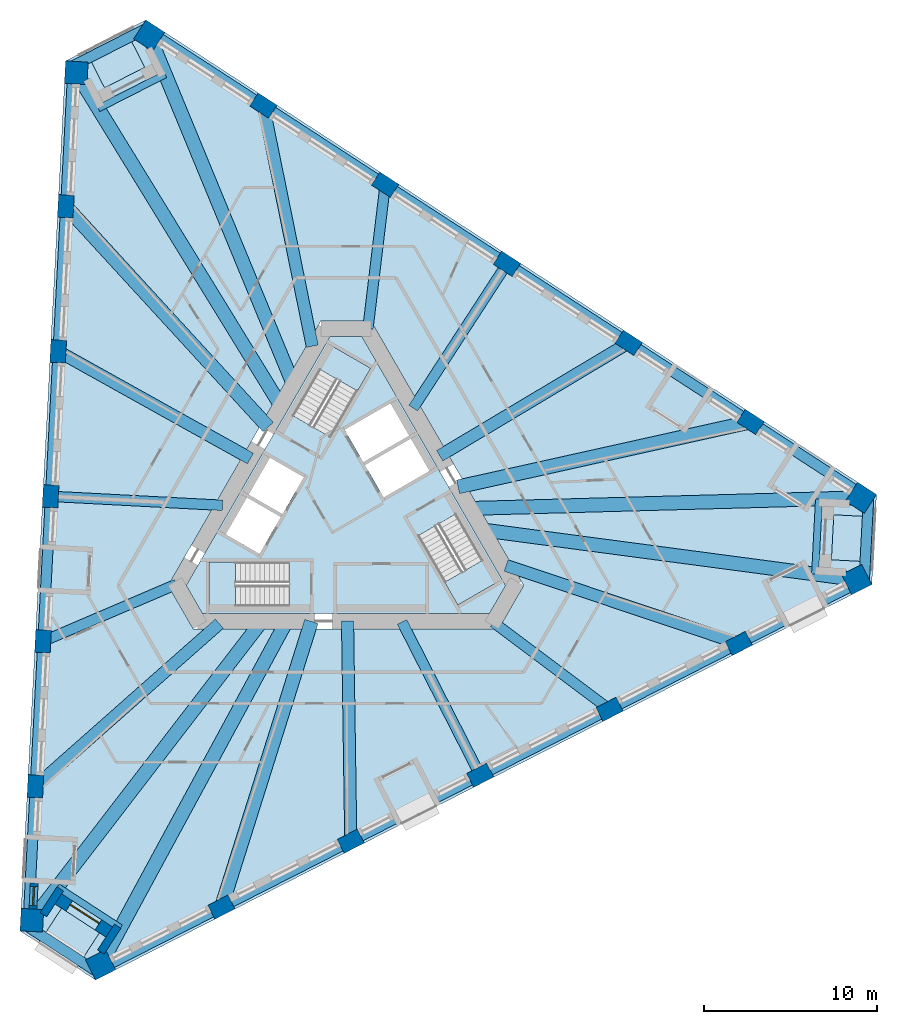
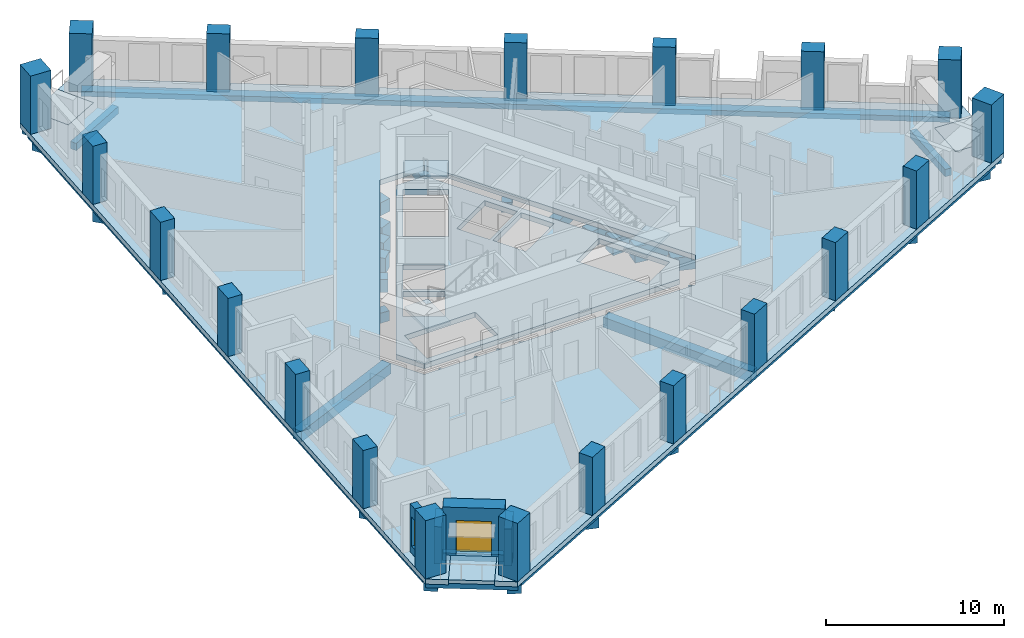
# One storey, part 1 of 12: 30 beams, 21 columns, 8 slabs, 4 walls, 1 door, 1 window, 2 openings, 3 elements without a shape of their own.
"""IFC4 building model written with IfcOpenShell, lengths in metres."""

from ifc_helpers import new_model, si_unit, direction, frame, frame_2d, origin, origin_2d, place, context, subcontext, project, spatial, polyline, rectangle, outline, extrude, material, layer, layer_set, material_profile, profile_set, type_object, element, fill, aggregate, save


model = new_model("IFC4")

# Units and contexts
model_context = context("Model", 3, precision=1e-05, world=origin(), true_north=direction((0.0, 1.0)))
body_context = subcontext(model_context, "Body", "Model", "MODEL_VIEW")
ifc_project = project(units=[si_unit("LENGTHUNIT", "METRE"), si_unit("AREAUNIT", "SQUARE_METRE"), si_unit("VOLUMEUNIT", "CUBIC_METRE"), si_unit("PLANEANGLEUNIT", "RADIAN"), si_unit("MASSUNIT", "GRAM", prefix="KILO")], contexts=[model_context])

# Site, building, storey
site_placement = place(None, origin())
site = spatial("IfcSite", under=ifc_project, at=site_placement, CompositionType="ELEMENT")
building_placement = place(site_placement, origin())
building = spatial("IfcBuilding", under=site, at=building_placement, Name="Tramontana Tower", CompositionType="ELEMENT")
storey_placement = place(building_placement, frame((0.0, 0.0, 133.60009765625)))
storey = spatial("IfcBuildingStorey", under=building, at=storey_placement, Name="L30", CompositionType="ELEMENT", Elevation=133.60009765625)

# Columns
ifc_material_1 = material(Name="Concrete 70 MPa", Category="concrete")
ifc_material_profile_1 = material_profile(ifc_material_1, rectangle(XDim=1.300048828125, YDim=1.300048828125, at=origin_2d()), Name="Mega column 1300X1300 70 MPa")
ifc_profile_set_1 = profile_set([ifc_material_profile_1], Name="Concrete 70 MPa")
column_type_1 = type_object("IfcColumnType", Name="Mega column 1300X1300 70 MPa", PredefinedType="COLUMN", material=ifc_profile_set_1)
for number, where, z_axis, x_axis, name in (
    (1, (-15.546630859375, 25.31298828125, 0.0), (0.0, 0.0, 1.0), (-0.052335956243, -0.998629534755, 0.0), "Mega column C3K1 L30"),
    (2, (-18.107177734375, -23.54931640625, 0.0), (0.0, 0.0, 1.0), (-0.052335956243, -0.998629534755, 0.0), "Mega column C3K2 L30"),
    (3, (-14.1484375, -26.1201171875, 0.0), (0.0, 0.0, 1.0), (0.891006524188, 0.45399049974, 0.0), "Mega column C3K3 L30"),
    (4, (29.447998046875, -3.90673828125, 0.0), (0.0, 0.0, 1.0), (0.891006524188, 0.45399049974, 0.0), "Mega column C3K4 L30"),
    (5, (29.695068359375, 0.80712890625, 0.0), (0.0, 0.0, 1.0), (-0.838670567945, 0.544639035015, 0.0), "Mega column C3K5 L30"),
    (6, (-11.340576171875, 27.4560546875, 0.0), (0.0, 0.0, 1.0), (-0.838670567945, 0.544639035015, 0.0), "Mega column C3K6 L30"),
):
    element("IfcColumn", number, at=place(storey_placement, frame(where, z_axis=z_axis, x_axis=x_axis)), inside=storey, type_object=column_type_1, Name=name, PredefinedType="COLUMN", context=body_context, shape_type="SweptSolid", body=[
        extrude(rectangle(XDim=1.300048828125, YDim=1.300048828125, at=origin_2d()), origin(), (0.0, 0.0, 1.0), 4.0),
    ])
ifc_material_2 = material(Name="Concrete 55 MPa", Category="concrete")
ifc_material_profile_2 = material_profile(ifc_material_2, rectangle(XDim=1.300048828125, YDim=0.89990234375, at=origin_2d()), Name="Pier column 1300X900 55 MPa")
ifc_profile_set_2 = profile_set([ifc_material_profile_2], Name="Concrete 55 MPa")
column_type_2 = type_object("IfcColumnType", Name="Pier column 1300X900 55 MPa", PredefinedType="COLUMN", material=ifc_profile_set_2)
for number, where, z_axis, x_axis, name in (
    (7, (-16.150390625, 17.612548828125, 0.0), (0.0, 0.0, 1.0), (-0.052335956243, -0.998629534755, 0.0), "Pier column C3F01 L30"),
    (8, (-16.58837890625, 9.25244140625, 0.0), (0.0, 0.0, 1.0), (-0.052335956243, -0.998629534755, 0.0), "Pier column C3F02 L30"),
    (9, (-17.026611328125, 0.892333984375, 0.0), (0.0, 0.0, 1.0), (-0.052335956243, -0.998629534755, 0.0), "Pier column C3F03 L30"),
    (10, (-17.46484375, -7.4677734375, 0.0), (0.0, 0.0, 1.0), (-0.052335956243, -0.998629534755, 0.0), "Pier column C3F04 L30"),
    (11, (-17.90283203125, -15.827880859375, 0.0), (0.0, 0.0, 1.0), (-0.052335956243, -0.998629534755, 0.0), "Pier column C3F05 L30"),
    (12, (-7.177734375, -22.79296875, 0.0), (0.0, 0.0, 1.0), (0.891006524188, 0.45399049974, 0.0), "Pier column C3F06 L30"),
    (13, (0.281494140625, -18.9921875, 0.0), (0.0, 0.0, 1.0), (0.891006524188, 0.45399049974, 0.0), "Pier column C3F07 L30"),
    (14, (7.740478515625, -15.191650390625, 0.0), (0.0, 0.0, 1.0), (0.891006524188, 0.45399049974, 0.0), "Pier column C3F08 L30"),
    (15, (15.19970703125, -11.39111328125, 0.0), (0.0, 0.0, 1.0), (0.891006524188, 0.45399049974, 0.0), "Pier column C3F09 L30"),
    (16, (22.65869140625, -7.59033203125, 0.0), (0.0, 0.0, 1.0), (0.891006524188, 0.45399049974, 0.0), "Pier column C3F10 L30"),
    (17, (23.328125, 5.180419921875, 0.0), (0.0, 0.0, 1.0), (-0.838670567945, 0.544639035015, 0.0), "Pier column C3F11 L30"),
    (18, (16.30712890625, 9.73974609375, 0.0), (0.0, 0.0, 1.0), (-0.838670567945, 0.544639035015, 0.0), "Pier column C3F12 L30"),
    (19, (9.2861328125, 14.29931640625, 0.0), (0.0, 0.0, 1.0), (-0.838670567945, 0.544639035015, 0.0), "Pier column C3F13 L30"),
    (20, (2.26513671875, 18.85888671875, 0.0), (0.0, 0.0, 1.0), (-0.838670567945, 0.544639035015, 0.0), "Pier column C3F14 L30"),
    (21, (-4.755859375, 23.418212890625, 0.0), (0.0, 0.0, 1.0), (-0.838670567945, 0.544639035015, 0.0), "Pier column C3F15 L30"),
):
    element("IfcColumn", number, at=place(storey_placement, frame(where, z_axis=z_axis, x_axis=x_axis)), inside=storey, type_object=column_type_2, Name=name, PredefinedType="COLUMN", context=body_context, shape_type="SweptSolid", body=[
        extrude(rectangle(XDim=1.300048828125, YDim=0.89990234375, at=origin_2d()), origin(), (0.0, 0.0, 1.0), 4.0),
    ])

# Beams
ifc_material_3 = material(Name="Concrete 40 MPa", Category="concrete")
ifc_material_profile_3 = material_profile(ifc_material_3, rectangle(XDim=0.60009765625, YDim=0.35009765625, at=origin_2d()), Name="RC EDGE BEAM 600X350 40 MPa")
ifc_profile_set_3 = profile_set([ifc_material_profile_3], Name="Concrete 40 MPa")
beam_type_1 = type_object("IfcBeamType", Name="RC EDGE BEAM 600X350 40 MPa", PredefinedType="SPANDREL", material=ifc_profile_set_3)
for number, where, z_axis, x_axis, name in (
    (22, (-15.74609375, 25.323486328125, -0.525146484375), (-0.052336488944, -0.998629506837, 0.0), (0.998629506837, -0.052336488944, 0.0), "Spandrel beam S0 L30"),
    (23, (-14.0576171875, -26.29833984375, -0.525146484375), (0.89100747088, 0.453988641748, 0.0), (-0.453988641748, 0.89100747088, 0.0), "Spandrel beam S1 L30"),
    (24, (29.803955078125, 0.974853515625, -0.525146484375), (-0.838669945923, 0.544639992844, 0.0), (-0.544639992844, -0.838669945923, 0.0), "Spandrel beam S2 L30"),
):
    element("IfcBeam", number, at=place(storey_placement, frame(where, z_axis=z_axis, x_axis=x_axis)), inside=storey, type_object=beam_type_1, Name=name, PredefinedType="SPANDREL", context=body_context, shape_type="SweptSolid", body=[
        extrude(rectangle(XDim=0.60009765625, YDim=0.35009765625, at=origin_2d()), origin(), (0.0, 0.0, 1.0), 48.929443359375),
    ])
for number, where, z_axis, x_axis, name in (
    (25, (-11.327392578125, 27.9541015625, -0.525146484375), (-0.891018699398, -0.453966603753, 0.0), (0.453966603753, -0.891018699398, 0.0), "Spandrel beam K0 L30"),
    (26, (-18.54541015625, -23.787109375, -0.525146484375), (0.838668969916, -0.544641495757, 0.0), (0.544641495757, 0.838668969916, 0.0), "Spandrel beam K1 L30"),
):
    element("IfcBeam", number, at=place(storey_placement, frame(where, z_axis=z_axis, x_axis=x_axis)), inside=storey, type_object=beam_type_1, Name=name, PredefinedType="SPANDREL", context=body_context, shape_type="SweptSolid", body=[
        extrude(rectangle(XDim=0.60009765625, YDim=0.35009765625, at=origin_2d()), origin(), (0.0, 0.0, 1.0), 5.1962890625),
    ])
beam_1_placement = place(storey_placement, frame((29.872802734375, -4.167236328125, -0.525146484375), z_axis=(0.052341816109, 0.998629227635, 0.0), x_axis=(-0.998629227635, 0.052341816109, 0.0)))
element("IfcBeam", 27, at=beam_1_placement, inside=storey, type_object=beam_type_1, Name="Spandrel beam K2 L30", PredefinedType="SPANDREL", context=body_context, shape_type="SweptSolid", body=[
    extrude(rectangle(XDim=0.60009765625, YDim=0.35009765625, at=origin_2d()), origin(), (0.0, 0.0, 1.0), 5.196044921875),
])
ifc_material_4 = material(Name="Concrete 40 MPa", Category="concrete")
ifc_material_profile_4 = material_profile(ifc_material_4, rectangle(XDim=0.60009765625, YDim=0.699951171875, at=origin_2d()), Name="RC GIRDER 600X700 40 MPa")
ifc_profile_set_4 = profile_set([ifc_material_profile_4], Name="Concrete 40 MPa")
beam_type_2 = type_object("IfcBeamType", Name="RC GIRDER 600X700 40 MPa", PredefinedType="BEAM", material=ifc_profile_set_4)
beam_2_placement = place(storey_placement, frame((-17.026611328125, 0.892333984375, -0.7001953125), z_axis=(0.998628816447, -0.052349660575, 0.0), x_axis=(0.052349660575, 0.998628816447, 0.0)))
element("IfcBeam", 28, at=beam_2_placement, inside=storey, type_object=beam_type_2, Name="Radial girder C3F03 L30", PredefinedType="BEAM", context=body_context, shape_type="SweptSolid", body=[
    extrude(rectangle(XDim=0.60009765625, YDim=0.699951171875, at=origin_2d()), origin(), (0.0, 0.0, 1.0), 9.92431640625),
])
beam_3_placement = place(storey_placement, frame((-17.46484375, -7.4677734375, -0.7001953125), z_axis=(0.919473795441, 0.393151293394, 0.0), x_axis=(-0.393151293394, 0.919473795441, 0.0)))
element("IfcBeam", 29, at=beam_3_placement, inside=storey, type_object=beam_type_2, Name="Radial girder C3F04 L30", PredefinedType="BEAM", context=body_context, shape_type="SweptSolid", body=[
    extrude(rectangle(XDim=0.60009765625, YDim=0.699951171875, at=origin_2d()), origin(), (0.0, 0.0, 1.0), 8.365234375),
])
beam_4_placement = place(storey_placement, frame((7.740478515625, -15.191650390625, -0.7001953125), z_axis=(-0.453980690523, 0.891011522166, 0.0), x_axis=(-0.891011522166, -0.453980690523, 0.0)))
element("IfcBeam", 30, at=beam_4_placement, inside=storey, type_object=beam_type_2, Name="Radial girder C3F08 L30", PredefinedType="BEAM", context=body_context, shape_type="SweptSolid", body=[
    extrude(rectangle(XDim=0.60009765625, YDim=0.699951171875, at=origin_2d()), origin(), (0.0, 0.0, 1.0), 9.924072265625),
])
beam_5_placement = place(storey_placement, frame((15.19970703125, -11.39111328125, -0.7001953125), z_axis=(-0.800213580839, 0.599715119904, 0.0), x_axis=(-0.599715119904, -0.800213580839, 0.0)))
element("IfcBeam", 31, at=beam_5_placement, inside=storey, type_object=beam_type_2, Name="Radial girder C3F09 L30", PredefinedType="BEAM", context=body_context, shape_type="SweptSolid", body=[
    extrude(rectangle(XDim=0.60009765625, YDim=0.699951171875, at=origin_2d()), origin(), (0.0, 0.0, 1.0), 8.365478515625),
])
beam_6_placement = place(storey_placement, frame((9.2861328125, 14.29931640625, -0.7001953125), z_axis=(-0.54464589271, -0.838666114466, 0.0), x_axis=(0.838666114466, -0.54464589271, 0.0)))
element("IfcBeam", 32, at=beam_6_placement, inside=storey, type_object=beam_type_2, Name="Radial girder C3F13 L30", PredefinedType="BEAM", context=body_context, shape_type="SweptSolid", body=[
    extrude(rectangle(XDim=0.60009765625, YDim=0.699951171875, at=origin_2d()), origin(), (0.0, 0.0, 1.0), 9.92431640625),
])
beam_7_placement = place(storey_placement, frame((2.26513671875, 18.85888671875, -0.7001953125), z_axis=(-0.119248793527, -0.992864404258, 0.0), x_axis=(0.992864404258, -0.119248793527, 0.0)))
element("IfcBeam", 33, at=beam_7_placement, inside=storey, type_object=beam_type_2, Name="Radial girder C3F14 L30", PredefinedType="BEAM", context=body_context, shape_type="SweptSolid", body=[
    extrude(rectangle(XDim=0.60009765625, YDim=0.699951171875, at=origin_2d()), origin(), (0.0, 0.0, 1.0), 8.365234375),
])
ifc_material_5 = material(Name="Concrete 40 MPa", Category="concrete")
ifc_material_profile_5 = material_profile(ifc_material_5, rectangle(XDim=0.699951171875, YDim=0.89990234375, at=origin_2d()), Name="RC GIRDER 700X900 40 MPa")
ifc_profile_set_5 = profile_set([ifc_material_profile_5], Name="Concrete 40 MPa")
beam_type_3 = type_object("IfcBeamType", Name="RC GIRDER 700X900 40 MPa", PredefinedType="BEAM", material=ifc_profile_set_5)
beam_8_placement = place(storey_placement, frame((-16.58837890625, 9.25244140625, -0.800048828125), z_axis=(0.873332247198, -0.487125020917, 0.0), x_axis=(0.487125020917, 0.873332247198, 0.0)))
element("IfcBeam", 34, at=beam_8_placement, inside=storey, type_object=beam_type_3, Name="Radial girder C3F02 L30", PredefinedType="BEAM", context=body_context, shape_type="SweptSolid", body=[
    extrude(rectangle(XDim=0.699951171875, YDim=0.89990234375, at=origin_2d()), origin(), (0.0, 0.0, 1.0), 12.693603515625),
])
beam_9_placement = place(storey_placement, frame((-17.90283203125, -15.827880859375, -0.800048828125), z_axis=(0.74918417634, 0.662361736456, 0.0), x_axis=(-0.662361736456, 0.74918417634, 0.0)))
element("IfcBeam", 35, at=beam_9_placement, inside=storey, type_object=beam_type_3, Name="Radial girder C3F05 L30", PredefinedType="BEAM", context=body_context, shape_type="SweptSolid", body=[
    extrude(rectangle(XDim=0.699951171875, YDim=0.89990234375, at=origin_2d()), origin(), (0.0, 0.0, 1.0), 14.1552734375),
])
beam_10_placement = place(storey_placement, frame((0.281494140625, -18.9921875, -0.800048828125), z_axis=(-0.014829000023, 0.999890044334, 0.0), x_axis=(-0.999890044334, -0.014829000023, 0.0)))
element("IfcBeam", 36, at=beam_10_placement, inside=storey, type_object=beam_type_3, Name="Radial girder C3F07 L30", PredefinedType="BEAM", context=body_context, shape_type="SweptSolid", body=[
    extrude(rectangle(XDim=0.699951171875, YDim=0.89990234375, at=origin_2d()), origin(), (0.0, 0.0, 1.0), 12.693603515625),
])
beam_11_placement = place(storey_placement, frame((22.65869140625, -7.59033203125, -0.800048828125), z_axis=(-0.948211400457, 0.317639953476, 0.0), x_axis=(-0.317639953476, -0.948211400457, 0.0)))
element("IfcBeam", 37, at=beam_11_placement, inside=storey, type_object=beam_type_3, Name="Radial girder C3F10 L30", PredefinedType="BEAM", context=body_context, shape_type="SweptSolid", body=[
    extrude(rectangle(XDim=0.699951171875, YDim=0.89990234375, at=origin_2d()), origin(), (0.0, 0.0, 1.0), 14.155517578125),
])
beam_12_placement = place(storey_placement, frame((16.30712890625, 9.73974609375, -0.800048828125), z_axis=(-0.858533155932, -0.512758052268, 0.0), x_axis=(0.512758052268, -0.858533155932, 0.0)))
element("IfcBeam", 38, at=beam_12_placement, inside=storey, type_object=beam_type_3, Name="Radial girder C3F12 L30", PredefinedType="BEAM", context=body_context, shape_type="SweptSolid", body=[
    extrude(rectangle(XDim=0.699951171875, YDim=0.89990234375, at=origin_2d()), origin(), (0.0, 0.0, 1.0), 12.693603515625),
])
beam_13_placement = place(storey_placement, frame((-4.755859375, 23.418212890625, -0.800048828125), z_axis=(0.199014115168, -0.979996623445, 0.0), x_axis=(0.979996623445, 0.199014115168, 0.0)))
element("IfcBeam", 39, at=beam_13_placement, inside=storey, type_object=beam_type_3, Name="Radial girder C3F15 L30", PredefinedType="BEAM", context=body_context, shape_type="SweptSolid", body=[
    extrude(rectangle(XDim=0.699951171875, YDim=0.89990234375, at=origin_2d()), origin(), (0.0, 0.0, 1.0), 14.155517578125),
])
ifc_material_6 = material(Name="Concrete 40 MPa", Category="concrete")
ifc_material_profile_6 = material_profile(ifc_material_6, rectangle(XDim=0.800048828125, YDim=1.10009765625, at=origin_2d()), Name="RC GIRDER 800X1100 40 MPa")
ifc_profile_set_6 = profile_set([ifc_material_profile_6], Name="Concrete 40 MPa")
beam_type_4 = type_object("IfcBeamType", Name="RC GIRDER 800X1100 40 MPa", PredefinedType="BEAM", material=ifc_profile_set_6)
beam_14_placement = place(storey_placement, frame((-15.54638671875, 25.31298828125, -0.900146484375), z_axis=(0.523345221795, -0.852120753664, 0.0), x_axis=(0.852120753664, 0.523345221795, 0.0)))
element("IfcBeam", 40, at=beam_14_placement, inside=storey, type_object=beam_type_4, Name="Radial girder C3K1 L30", PredefinedType="BEAM", context=body_context, shape_type="SweptSolid", body=[
    extrude(rectangle(XDim=0.800048828125, YDim=1.10009765625, at=origin_2d()), origin(), (0.0, 0.0, 1.0), 22.479248046875),
])
beam_15_placement = place(storey_placement, frame((-16.150390625, 17.612548828125, -0.900146484375), z_axis=(0.675852012308, -0.737037351469, 0.0), x_axis=(0.737037351469, 0.675852012308, 0.0)))
element("IfcBeam", 41, at=beam_15_placement, inside=storey, type_object=beam_type_4, Name="Radial girder C3F01 L30", PredefinedType="BEAM", context=body_context, shape_type="SweptSolid", body=[
    extrude(rectangle(XDim=0.800048828125, YDim=1.10009765625, at=origin_2d()), origin(), (0.0, 0.0, 1.0), 17.26953125),
])
beam_16_placement = place(storey_placement, frame((-18.107421875, -23.54931640625, -0.900146484375), z_axis=(0.609557551485, 0.792741818896, 0.0), x_axis=(-0.792741818896, 0.609557551485, 0.0)))
element("IfcBeam", 42, at=beam_16_placement, inside=storey, type_object=beam_type_4, Name="Radial girder C3K2 L30", PredefinedType="BEAM", context=body_context, shape_type="SweptSolid", body=[
    extrude(rectangle(XDim=0.800048828125, YDim=1.10009765625, at=origin_2d()), origin(), (0.0, 0.0, 1.0), 21.641357421875),
])
beam_17_placement = place(storey_placement, frame((-14.1484375, -26.1201171875, -0.900146484375), z_axis=(0.476284198163, 0.879291397991, 0.0), x_axis=(-0.879291397991, 0.476284198163, 0.0)))
element("IfcBeam", 43, at=beam_17_placement, inside=storey, type_object=beam_type_4, Name="Radial girder C3K3 L30", PredefinedType="BEAM", context=body_context, shape_type="SweptSolid", body=[
    extrude(rectangle(XDim=0.800048828125, YDim=1.10009765625, at=origin_2d()), origin(), (0.0, 0.0, 1.0), 22.479248046875),
])
beam_18_placement = place(storey_placement, frame((-7.177734375, -22.79296875, -0.900146484375), z_axis=(0.300368764095, 0.953823152139, 0.0), x_axis=(-0.953823152139, 0.300368764095, 0.0)))
element("IfcBeam", 44, at=beam_18_placement, inside=storey, type_object=beam_type_4, Name="Radial girder C3F06 L30", PredefinedType="BEAM", context=body_context, shape_type="SweptSolid", body=[
    extrude(rectangle(XDim=0.800048828125, YDim=1.10009765625, at=origin_2d()), origin(), (0.0, 0.0, 1.0), 17.26953125),
])
beam_19_placement = place(storey_placement, frame((29.447998046875, -3.90673828125, -0.900146484375), z_axis=(-0.991313997986, 0.131516376914, 0.0), x_axis=(-0.131516376914, -0.991313997986, 0.0)))
element("IfcBeam", 45, at=beam_19_placement, inside=storey, type_object=beam_type_4, Name="Radial girder C3K4 L30", PredefinedType="BEAM", context=body_context, shape_type="SweptSolid", body=[
    extrude(rectangle(XDim=0.800048828125, YDim=1.10009765625, at=origin_2d()), origin(), (0.0, 0.0, 1.0), 21.641357421875),
])
beam_20_placement = place(storey_placement, frame((29.695068359375, 0.80712890625, -0.900146484375), z_axis=(-0.999630732276, -0.027173499768, 0.0), x_axis=(0.027173499768, -0.999630732276, 0.0)))
element("IfcBeam", 46, at=beam_20_placement, inside=storey, type_object=beam_type_4, Name="Radial girder C3K5 L30", PredefinedType="BEAM", context=body_context, shape_type="SweptSolid", body=[
    extrude(rectangle(XDim=0.800048828125, YDim=1.10009765625, at=origin_2d()), origin(), (0.0, 0.0, 1.0), 22.479248046875),
])
beam_21_placement = place(storey_placement, frame((23.328125, 5.180419921875, -0.900146484375), z_axis=(-0.976217985391, -0.216791247516, 0.0), x_axis=(0.216791247516, -0.976217985391, 0.0)))
element("IfcBeam", 47, at=beam_21_placement, inside=storey, type_object=beam_type_4, Name="Radial girder C3F11 L30", PredefinedType="BEAM", context=body_context, shape_type="SweptSolid", body=[
    extrude(rectangle(XDim=0.800048828125, YDim=1.10009765625, at=origin_2d()), origin(), (0.0, 0.0, 1.0), 17.26953125),
])
beam_22_placement = place(storey_placement, frame((-11.3408203125, 27.4560546875, -0.900146484375), z_axis=(0.381767486968, -0.924258397795, 0.0), x_axis=(0.924258397795, 0.381767486968, 0.0)))
element("IfcBeam", 48, at=beam_22_placement, inside=storey, type_object=beam_type_4, Name="Radial girder C3K6 L30", PredefinedType="BEAM", context=body_context, shape_type="SweptSolid", body=[
    extrude(rectangle(XDim=0.800048828125, YDim=1.10009765625, at=origin_2d()), origin(), (0.0, 0.0, 1.0), 21.641357421875),
])
ifc_material_7 = material(Name="Concrete 40 MPa", Category="concrete")
ifc_material_profile_7 = material_profile(ifc_material_7, rectangle(XDim=0.39990234375, YDim=0.5, at=origin_2d()), Name="RC TRIM BEAM 400X500 40 MPa")
ifc_profile_set_7 = profile_set([ifc_material_profile_7], Name="Concrete 40 MPa")
beam_type_5 = type_object("IfcBeamType", Name="RC TRIM BEAM 400X500 40 MPa", PredefinedType="JOIST", material=ifc_profile_set_7)
for number, where, z_axis, x_axis, name in (
    (49, (-10.4169921875, 25.219482421875, -0.60009765625), (-0.891023167183, -0.453957834544, 0.0), (0.453957834544, -0.891023167183, 0.0), "Trimmer beam K0 L30"),
    (50, (-16.63232421875, -21.631103515625, -0.60009765625), (0.838651964019, -0.544667681479, 0.0), (0.544667681479, 0.838651964019, 0.0), "Trimmer beam K1 L30"),
    (51, (27.04931640625, -3.58837890625, -0.60009765625), (0.052310576439, 0.99863086453, 0.0), (-0.99863086453, 0.052310576439, 0.0), "Trimmer beam K2 L30"),
):
    element("IfcBeam", number, at=place(storey_placement, frame(where, z_axis=z_axis, x_axis=x_axis)), inside=storey, type_object=beam_type_5, Name=name, PredefinedType="JOIST", context=body_context, shape_type="SweptSolid", body=[
        extrude(rectangle(XDim=0.39990234375, YDim=0.5, at=origin_2d()), origin(), (0.0, 0.0, 1.0), 4.335693359375),
    ])

# Slabs
ifc_material_8 = material(Name="Precast concrete 50 MPa", Category="concrete")
ifc_layer_1 = layer(ifc_material_8, 0.25)
ifc_layer_set_1 = layer_set([ifc_layer_1], Name="LT1 Loggia floor tray 250")
slab_type_1 = type_object("IfcSlabType", Name="LT1 Loggia floor tray 250", PredefinedType="FLOOR", material=ifc_layer_set_1)
slab_1_placement = place(storey_placement, frame((0.0, 0.0, -0.25)))
element("IfcSlab", 52, at=slab_1_placement, inside=storey, type_object=slab_type_1, Name="Corner loggia floor L30 K30", PredefinedType="FLOOR", context=body_context, shape_type="SweptSolid", body=[
    extrude(outline(polyline([(-12.6884765625, 27.765869140625), (-11.598876953125, 25.62744140625), (-13.91552734375, 24.447021484375), (-15.005126953125, 26.58544921875), (-12.6884765625, 27.765869140625)])), origin(), (0.0, 0.0, 1.0), 0.25),
])
slab_2_placement = place(storey_placement, frame((0.0, 0.0, -0.25)))
element("IfcSlab", 53, at=slab_2_placement, inside=storey, type_object=slab_type_1, Name="Corner loggia floor L30 K31", PredefinedType="FLOOR", context=body_context, shape_type="SweptSolid", body=[
    extrude(outline(polyline([(-17.70166015625, -24.871337890625), (-16.39453125, -22.858642578125), (-14.214111328125, -24.274658203125), (-15.521240234375, -26.28759765625), (-17.70166015625, -24.871337890625)])), origin(), (0.0, 0.0, 1.0), 0.25),
])
slab_3_placement = place(storey_placement, frame((0.0, 0.0, -0.25)))
element("IfcSlab", 54, at=slab_3_placement, inside=storey, type_object=slab_type_1, Name="Corner loggia floor L30 K32", PredefinedType="FLOOR", context=body_context, shape_type="SweptSolid", body=[
    extrude(outline(polyline([(30.39013671875, -2.89453125), (27.993408203125, -2.768798828125), (28.129638671875, -0.17236328125), (30.526123046875, -0.298095703125), (30.39013671875, -2.89453125)])), origin(), (0.0, 0.0, 1.0), 0.25),
])
ifc_material_9 = material(Name="Concrete 40 MPa", Category="concrete")
ifc_layer_2 = layer(ifc_material_9, 0.35009765625)
ifc_layer_set_2 = layer_set([ifc_layer_2], Name="PT FLAT SLAB 350 40 MPa")
slab_type_2 = type_object("IfcSlabType", Name="PT FLAT SLAB 350 40 MPa", PredefinedType="FLOOR", material=ifc_layer_set_2)
slab_4_placement = place(storey_placement, frame((0.0, 0.0, -0.35009765625)))
element("IfcSlab", 55, at=slab_4_placement, inside=storey, type_object=slab_type_2, Name="Floor slab L30", PredefinedType="FLOOR", context=body_context, shape_type="SweptSolid", body=[
    extrude(outline(polyline([(30.526123046875, -0.298095703125), (28.12939453125, -0.17236328125), (27.993408203125, -2.768798828125), (30.39013671875, -2.89453125), (30.322265625, -4.19091796875), (-14.4326171875, -26.994384765625), (-15.521240234375, -26.28759765625), (-14.214111328125, -24.274658203125), (-16.39453125, -22.858642578125), (-17.701904296875, -24.871337890625), (-18.790283203125, -24.164306640625), (-16.16162109375, 25.99609375), (-15.0048828125, 26.58544921875), (-13.915283203125, 24.447021484375), (-11.598876953125, 25.62744140625), (-12.6884765625, 27.765869140625), (-11.53173828125, 28.355224609375), (30.59423828125, 0.998291015625), (30.526123046875, -0.298095703125)]), holes=[polyline([(-10.248046875, -4.25), (-8.8046875, -6.75), (8.8046875, -6.75), (10.248046875, -4.25), (1.443359375, 11.0), (-1.443359375, 11.0), (-10.248046875, -4.25)])]), origin(), (0.0, 0.0, 1.0), 0.35009765625),
])
slab_5_placement = place(storey_placement, frame((0.0, 0.0, -0.35009765625)))
element("IfcSlab", 56, at=slab_5_placement, inside=storey, type_object=slab_type_2, Name="Core floor slab L30", PredefinedType="FLOOR", context=body_context, shape_type="SweptSolid", body=[
    extrude(outline(polyline([(9.208740234375, -4.25), (8.284912109375, -5.85009765625), (-8.284912109375, -5.85009765625), (-9.208740234375, -4.25), (-0.923828125, 10.10009765625), (0.923828125, 10.10009765625), (9.208740234375, -4.25)]), holes=[polyline([(8.659912109375, -4.099365234375), (6.35986328125, -0.115478515625), (4.151611328125, -1.390625), (6.451416015625, -5.374267578125), (8.659912109375, -4.099365234375)]), polyline([(3.829833984375, 4.2666015625), (1.101806640625, 2.69140625), (2.177001953125, 0.82958984375), (4.90478515625, 2.404541015625), (3.829833984375, 4.2666015625)]), polyline([(2.65478515625, 6.3017578125), (-0.072998046875, 4.726806640625), (1.001953125, 2.86474609375), (3.729736328125, 4.439697265625), (2.65478515625, 6.3017578125)]), polyline([(-0.77978515625, 9.54931640625), (-3.079833984375, 5.565673828125), (-0.87158203125, 4.29052734375), (1.428466796875, 8.2744140625), (-0.77978515625, 9.54931640625)]), polyline([(-5.689697265625, 1.044921875), (-3.65478515625, -0.130126953125), (-2.4296875, 1.99169921875), (-4.46484375, 3.166748046875), (-5.689697265625, 1.044921875)]), polyline([(-3.280029296875, -5.449951171875), (-3.280029296875, -2.89990234375), (-7.8798828125, -2.89990234375), (-7.8798828125, -5.449951171875), (-3.280029296875, -5.449951171875)]), polyline([(-7.014892578125, -1.25), (-4.979736328125, -2.425048828125), (-3.754638671875, -0.30322265625), (-5.789794921875, 0.87158203125), (-7.014892578125, -1.25)])]), origin(), (0.0, 0.0, 1.0), 0.35009765625),
])

# Stair, slab
ifc_material_10 = material(Name="Concrete 40 MPa", Category="concrete")
stair_type = type_object("IfcStairType", Name="EXIT STAIR 24 RISERS", PredefinedType="HALF_TURN_STAIR", material=ifc_material_10)
stair_1_placement = place(storey_placement, origin())
stair_1 = element("IfcStair", 57, at=stair_1_placement, inside=storey, type_object=stair_type, Name="L30 Exit stair ST1", PredefinedType="HALF_TURN_STAIR")
ifc_material_11 = material(Name="Concrete 40 MPa", Category="concrete")
ifc_layer_3 = layer(ifc_material_11, 0.199951171875)
ifc_layer_set_3 = layer_set([ifc_layer_3], Name="STAIR LANDING 200")
slab_type_3 = type_object("IfcSlabType", Name="STAIR LANDING 200", PredefinedType="LANDING", material=ifc_layer_set_3)
slab_6_placement = place(storey_placement, frame((0.0, 0.0, 1.7998046875)))
slab_6 = element("IfcSlab", 58, at=slab_6_placement, type_object=slab_type_3, Name="ST1 landing 1", PredefinedType="LANDING", context=body_context, shape_type="SweptSolid", body=[
    extrude(outline(polyline([(0.66845703125, 6.9580078125), (1.428466796875, 8.274169921875), (-0.77978515625, 9.54931640625), (-1.539794921875, 8.23291015625), (0.66845703125, 6.9580078125)])), origin(), (0.0, 0.0, 1.0), 0.2001953125),
])
aggregate(stair_1, [slab_6])

stair_2_placement = place(storey_placement, origin())
stair_2 = element("IfcStair", 59, at=stair_2_placement, inside=storey, type_object=stair_type, Name="L30 Exit stair ST2", PredefinedType="HALF_TURN_STAIR")
slab_7_placement = place(storey_placement, frame((0.0, 0.0, 1.7998046875)))
slab_7 = element("IfcSlab", 60, at=slab_7_placement, type_object=slab_type_3, Name="ST2 landing 1", PredefinedType="LANDING", context=body_context, shape_type="SweptSolid", body=[
    extrude(outline(polyline([(-6.360107421875, -2.89990234375), (-7.8798828125, -2.89990234375), (-7.8798828125, -5.449951171875), (-6.360107421875, -5.449951171875), (-6.360107421875, -2.89990234375)])), origin(), (0.0, 0.0, 1.0), 0.2001953125),
])
aggregate(stair_2, [slab_7])

stair_3_placement = place(storey_placement, origin())
stair_3 = element("IfcStair", 61, at=stair_3_placement, inside=storey, type_object=stair_type, Name="L30 Exit stair ST3", PredefinedType="HALF_TURN_STAIR")
slab_8_placement = place(storey_placement, frame((0.0, 0.0, 1.7998046875)))
slab_8 = element("IfcSlab", 62, at=slab_8_placement, type_object=slab_type_3, Name="ST3 landing 1", PredefinedType="LANDING", context=body_context, shape_type="SweptSolid", body=[
    extrude(outline(polyline([(5.69140625, -4.057861328125), (6.451416015625, -5.374267578125), (8.659912109375, -4.099365234375), (7.89990234375, -2.782958984375), (5.69140625, -4.057861328125)])), origin(), (0.0, 0.0, 1.0), 0.2001953125),
])
aggregate(stair_3, [slab_8])

# Wall, opening, window
ifc_material_12 = material(Name="Precast concrete 60 MPa", Category="concrete")
ifc_layer_4 = layer(ifc_material_12, 0.449951171875)
ifc_layer_set_4 = layer_set([ifc_layer_4], Name="Precast concrete 60 MPa, 450 mm")
wall_type_1 = type_object("IfcWallType", Name="EW1 Stone-faced precast wall 450", PredefinedType="SOLIDWALL", material=ifc_layer_set_4)
wall_1_placement = place(storey_placement, frame((-17.97021484375, -21.4130859375, 0.0), z_axis=(0.0, 0.0, 1.0), x_axis=(-0.052412688754, -0.998625510418, 0.0)))
wall_1 = element("IfcWall", 63, at=wall_1_placement, inside=storey, type_object=wall_type_1, Name="External wall L30 face 0 bay 6", PredefinedType="SOLIDWALL", context=body_context, shape_type="SweptSolid", body=[
    extrude(rectangle(XDim=1.490478515625, YDim=0.449951171875, at=frame_2d((0.7451171875, 0.0))), origin(), (0.0, 0.0, 1.0), 3.2998046875),
])
opening_1_placement = place(wall_1_placement, frame((0.1953125, 0.0, 0.5)))
opening_1 = element("IfcOpeningElement", 64, at=opening_1_placement, cuts=wall_1, Name="Opening N2L", PredefinedType="OPENING", context=body_context, shape_type="SweptSolid", body=[
    extrude(rectangle(XDim=1.10009765625, YDim=2.0, at=frame_2d((0.550048828125, 1.0))), frame((0.0, 0.23486328125, 0.0), z_axis=(0.0, -1.0, 0.0), x_axis=(1.0, 0.0, 0.0)), (0.0, 0.0, 1.0), 0.469970703125),
])
ifc_material_13 = material(Name="Aluminum frame, double glazing unit", Category="aluminium")
window_type = type_object("IfcWindowType", Name="N2L Window 1.1 x 2", PartitioningType="SINGLE_PANEL", PredefinedType="WINDOW", material=ifc_material_13)
window_placement = place(opening_1_placement, origin())
window = element("IfcWindow", 65, at=window_placement, inside=storey, type_object=window_type, Name="Window N2L L30 face 0 module 18", OverallHeight=2.0, OverallWidth=1.10009765625, PartitioningType="SINGLE_PANEL", PredefinedType="WINDOW", context=body_context, shape_type="SweptSolid", body=[
    extrude(rectangle(XDim=1.10009765625, YDim=2.0, at=frame_2d((0.550048828125, 1.0))), frame((0.0, 0.030029296875, 0.0), z_axis=(0.0, -1.0, 0.0), x_axis=(1.0, 0.0, 0.0)), (0.0, 0.0, 1.0), 0.06005859375),
])
fill(opening_1, window)

# Walls
for number, where, z_axis, x_axis, name in (
    (66, (-14.126708984375, -25.379638671875, 0.0), (0.0, 0.0, 1.0), (0.544621738408, 0.83868180024, 0.0), "Corner loggia side wall L30 K31l"),
    (67, (-17.439697265625, -23.228271484375, 0.0), (0.0, 0.0, 1.0), (0.544718245588, 0.838619122679, 0.0), "Corner loggia side wall L30 K31r"),
):
    element("IfcWall", number, at=place(storey_placement, frame(where, z_axis=z_axis, x_axis=x_axis)), inside=storey, type_object=wall_type_1, Name=name, PredefinedType="SOLIDWALL", context=body_context, shape_type="SweptSolid", body=[
        extrude(rectangle(XDim=1.779296875, YDim=0.449951171875, at=frame_2d((0.8896484375, 0.0))), origin(), (0.0, 0.0, 1.0), 2.5498046875),
    ])

# Wall, opening, door
ifc_material_14 = material(Name="Precast concrete 60 MPa", Category="concrete")
ifc_layer_5 = layer(ifc_material_14, 0.89990234375)
ifc_layer_set_5 = layer_set([ifc_layer_5], Name="EW2 Stone-faced corner loggia wall 900")
wall_type_2 = type_object("IfcWallType", Name="EW2 Stone-faced corner loggia wall 900", PredefinedType="SOLIDWALL", material=ifc_layer_set_5)
wall_2_placement = place(storey_placement, frame((-13.591552734375, -24.142333984375, 0.0), z_axis=(0.0, 0.0, 1.0), x_axis=(-0.838665071449, 0.544647498784, 0.0)))
wall_2 = element("IfcWall", 68, at=wall_2_placement, inside=storey, type_object=wall_type_2, Name="Corner loggia wall L30 K31", PredefinedType="SOLIDWALL", context=body_context, shape_type="SweptSolid", body=[
    extrude(rectangle(XDim=3.5, YDim=0.89990234375, at=frame_2d((1.75, 0.0))), origin(), (0.0, 0.0, 1.0), 3.2998046875),
])
opening_2_placement = place(wall_2_placement, frame((0.75, 0.0, 0.0)))
opening_2 = element("IfcOpeningElement", 69, at=opening_2_placement, cuts=wall_2, Name="Opening BD-31C", PredefinedType="OPENING", context=body_context, shape_type="SweptSolid", body=[
    extrude(rectangle(XDim=2.0, YDim=2.39990234375, at=frame_2d((1.0, 1.199951171875))), frame((0.0, 0.4599609375, 0.0), z_axis=(0.0, -1.0, 0.0), x_axis=(1.0, 0.0, 0.0)), (0.0, 0.0, 1.0), 0.919921875),
])
ifc_material_15 = material(Name="Aluminum frame, double glazing unit", Category="aluminium")
door_type = type_object("IfcDoorType", Name="BC1 Sliding door 2 x 2.4", OperationType="SLIDING_TO_LEFT", PredefinedType="DOOR", material=ifc_material_15)
door_placement = place(opening_2_placement, origin())
door = element("IfcDoor", 70, at=door_placement, inside=storey, type_object=door_type, Name="Corner loggia door L30 K31", OperationType="SLIDING_TO_LEFT", OverallHeight=2.39990234375, OverallWidth=2.0, PredefinedType="DOOR", context=body_context, shape_type="SweptSolid", body=[
    extrude(rectangle(XDim=2.0, YDim=2.39990234375, at=frame_2d((1.0, 1.199951171875))), frame((0.0, 0.02490234375, 0.0), z_axis=(0.0, -1.0, 0.0), x_axis=(1.0, 0.0, 0.0)), (0.0, 0.0, 1.0), 0.050048828125),
])
fill(opening_2, door)

save(model, "model.ifc")
